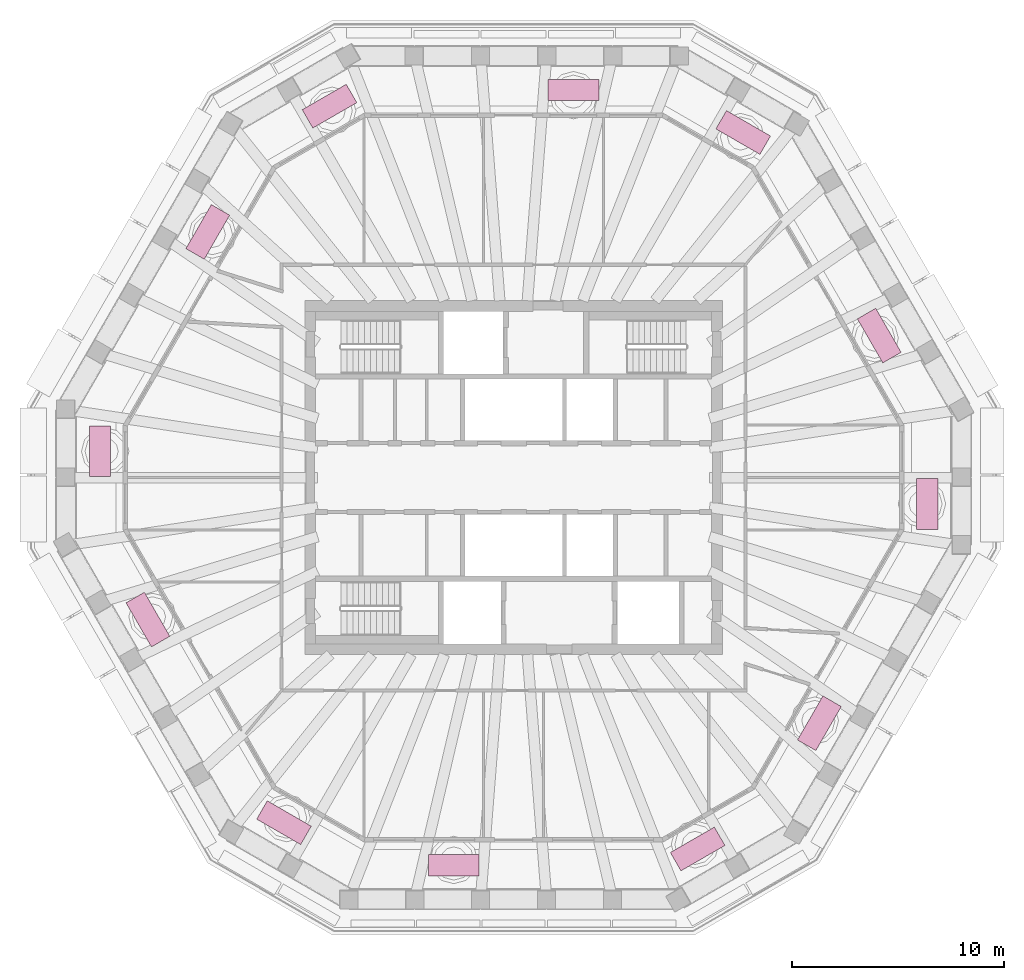
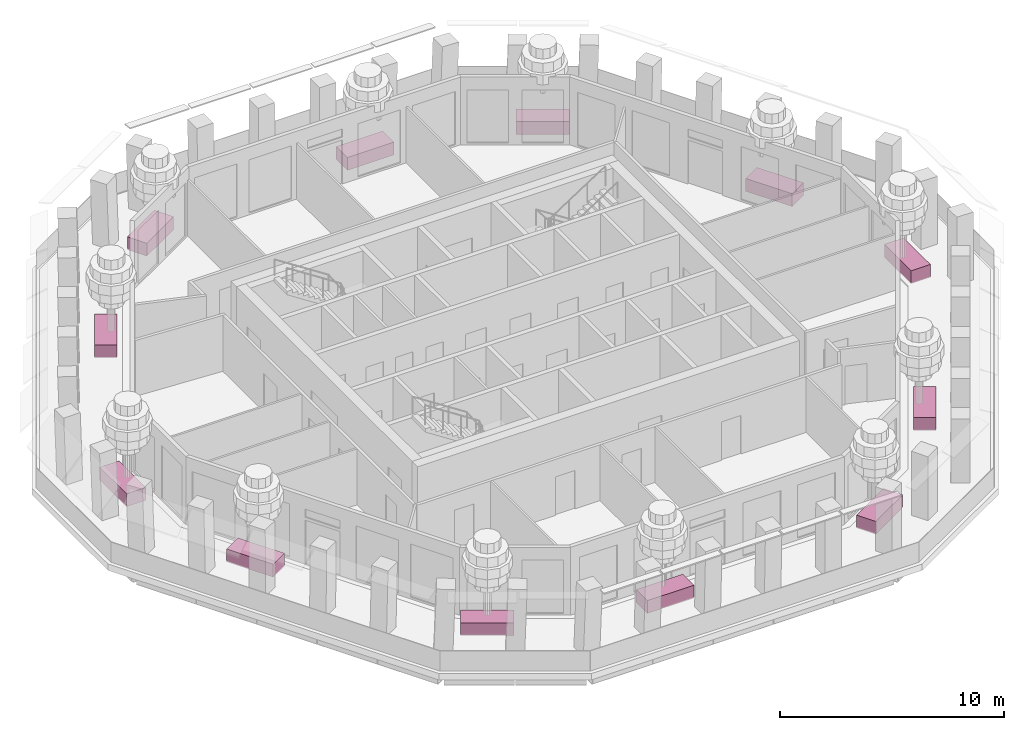
# One storey, part 11 of 13: 12 furniture elements.
"""IFC4 building model written with IfcOpenShell, lengths in metres."""

from ifc_helpers import new_model, si_unit, direction, frame, origin, origin_2d, place, context, subcontext, project, spatial, rectangle, extrude, material, type_object, element, save


model = new_model("IFC4")

# Units and contexts
model_context = context("Model", 3, precision=1e-05, world=origin(), true_north=direction((0.0, 1.0)))
body_context = subcontext(model_context, "Body", "Model", "MODEL_VIEW")
ifc_project = project(units=[si_unit("LENGTHUNIT", "METRE"), si_unit("AREAUNIT", "SQUARE_METRE"), si_unit("VOLUMEUNIT", "CUBIC_METRE"), si_unit("PLANEANGLEUNIT", "RADIAN"), si_unit("MASSUNIT", "GRAM", prefix="KILO")], contexts=[model_context])

# Site, building, storey
site_placement = place(None, origin())
site = spatial("IfcSite", under=ifc_project, at=site_placement, CompositionType="ELEMENT")
building_placement = place(site_placement, origin())
building = spatial("IfcBuilding", under=site, at=building_placement, Name="Frailejon Research Tower", CompositionType="ELEMENT")
storey_placement = place(building_placement, frame((0.0, 0.0, 308.60009765625)))
storey = spatial("IfcBuildingStorey", under=building, at=storey_placement, Name="L68", CompositionType="ELEMENT", Elevation=308.60009765625)

# Furniture
ifc_material = material(Name="Precast concrete C30/37 planter, terracotta", Category="masonry")
furniture_type = type_object("IfcFurnitureType", Name="Terrace planter 2400x1000", AssemblyPlace="NOTDEFINED", PredefinedType="USERDEFINED", material=ifc_material)
for number, where, z_axis, x_axis, name in (
    (1, (19.527587890625, -1.2412109375, 0.0), (0.0, 0.0, 1.0), (0.0, 1.0, 0.0), "Planter L68"),
    (2, (17.260986328125, 6.702880859375, 0.0), (0.0, 0.0, 1.0), (-0.5, 0.866025403784, 0.0), "Planter L68"),
    (3, (10.8388671875, 16.290771484375, 0.0), (0.0, 0.0, 1.0), (-0.866025403784, 0.5, 0.0), "Planter L68"),
    (4, (2.825439453125, 18.300048828125, 0.0), (0.0, 0.0, 1.0), (-1.0, 0.0, 0.0), "Planter L68"),
    (5, (-8.688720703125, 17.531982421875, 0.0), (0.0, 0.0, 1.0), (-0.866025403784, -0.5, 0.0), "Planter L68"),
    (6, (-14.435546875, 11.596923828125, 0.0), (0.0, 0.0, 1.0), (-0.5, -0.866025403784, 0.0), "Planter L68"),
    (7, (-19.527587890625, 1.2412109375, 0.0), (0.0, 0.0, 1.0), (0.0, -1.0, 0.0), "Planter L68"),
    (8, (-17.260986328125, -6.702880859375, 0.0), (0.0, 0.0, 1.0), (0.5, -0.866025403784, 0.0), "Planter L68"),
    (9, (-10.8388671875, -16.290771484375, 0.0), (0.0, 0.0, 1.0), (0.866025403784, -0.5, 0.0), "Planter L68"),
    (10, (-2.825439453125, -18.300048828125, 0.0), (0.0, 0.0, 1.0), (1.0, 0.0, 0.0), "Planter L68"),
    (11, (8.688720703125, -17.531982421875, 0.0), (0.0, 0.0, 1.0), (0.866025403784, 0.5, 0.0), "Planter L68"),
    (12, (14.435546875, -11.596923828125, 0.0), (0.0, 0.0, 1.0), (0.5, 0.866025403784, 0.0), "Planter L68"),
):
    element("IfcFurniture", number, at=place(storey_placement, frame(where, z_axis=z_axis, x_axis=x_axis)), inside=storey, type_object=furniture_type, Name=name, ObjectType="PLANTER", PredefinedType="USERDEFINED", context=body_context, shape_type="SweptSolid", body=[
        extrude(rectangle(XDim=2.39990234375, YDim=1.0, at=origin_2d()), origin(), (0.0, 0.0, 1.0), 0.699951171875),
    ])

save(model, "model.ifc")
